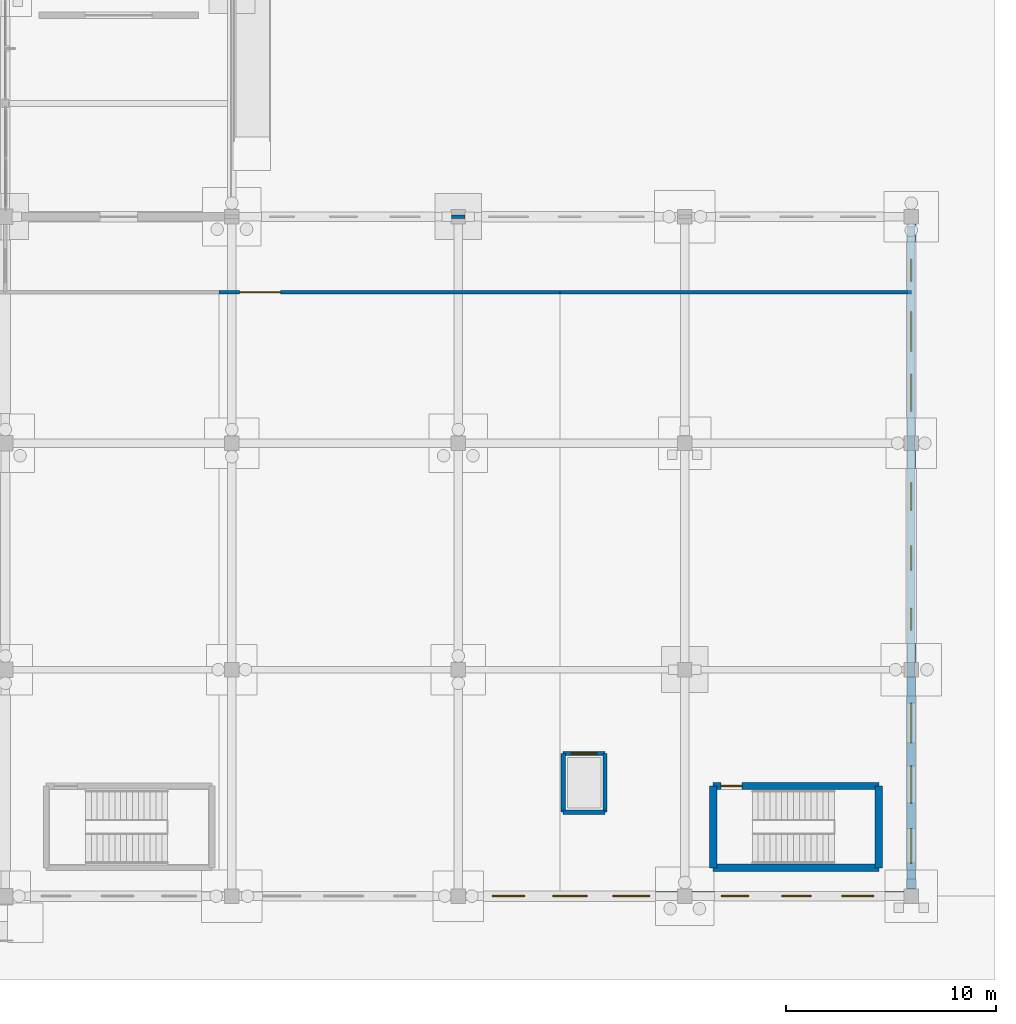
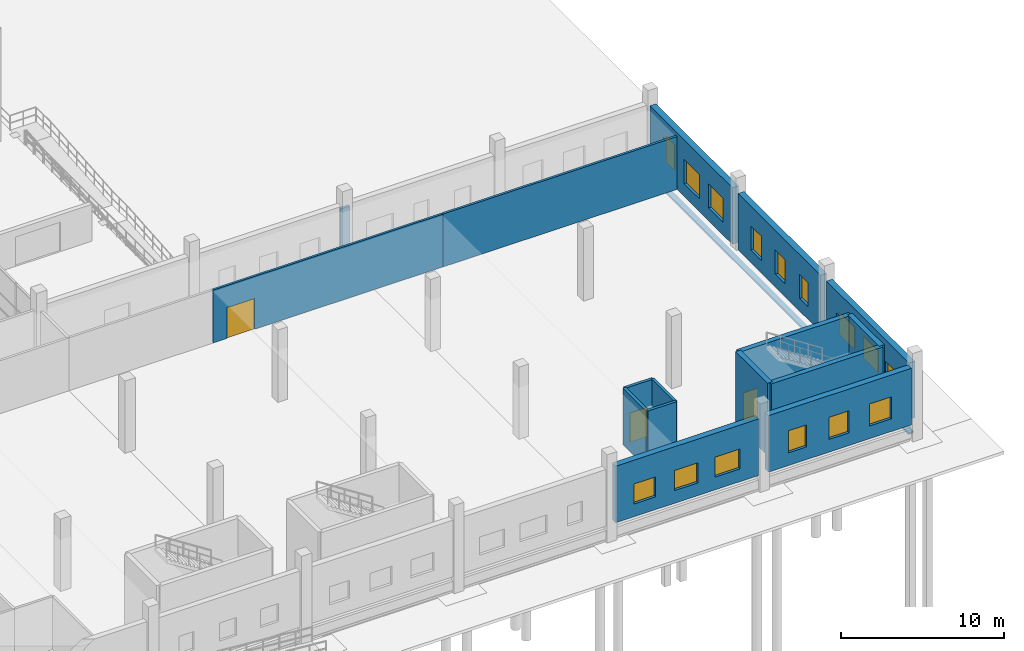
# One storey, part 111 of 138: 17 walls, 15 windows, 3 doors, 18 openings.
"""IFC4 building model written with IfcOpenShell, lengths in metres."""

import ifcopenshell
import ifcopenshell.guid

model = None  # the IFC model being written
_history = None  # IfcOwnerHistory: only IFC2X3 demands one
_inside = {}  # id of a spatial element -> (the spatial element, [elements in it])
_under = {}  # id of a project, library or spatial element -> (it, [spatial elements below it])
_declared = {}  # id of a project -> (the project, [libraries it declares])
_typed = {}  # id of a type object -> (the type object, [elements of that type])
_made_of = {}  # id of a material, layer set ... -> (it, [elements and type objects made of it])


def new_model(schema):
    """Start an empty IFC model of exactly this schema.

    Asked for "IFC4X3", IfcOpenShell would pick the latest addendum, in which some entities
    have other attributes; the version numbers below select the first issue.
    IFC2X3 requires an IfcOwnerHistory on every rooted entity: one is made here for all.
    """
    global model, _history
    if schema == "IFC4X3":
        model = ifcopenshell.file(schema_version=(4, 3, 0, 0))
    else:
        model = ifcopenshell.file(schema=schema)
    _inside.clear()
    _under.clear()
    _declared.clear()
    _typed.clear()
    _made_of.clear()
    _history = None
    if model.schema == "IFC2X3":
        org = make("IfcOrganization", Name="unknown")
        user = make(
            "IfcPersonAndOrganization",
            ThePerson=make("IfcPerson", FamilyName="unknown"),
            TheOrganization=org,
        )
        app = make(
            "IfcApplication",
            ApplicationDeveloper=org,
            Version="unknown",
            ApplicationFullName="unknown",
            ApplicationIdentifier="unknown",
        )
        _history = make(
            "IfcOwnerHistory",
            OwningUser=user,
            OwningApplication=app,
            ChangeAction="ADDED",
            CreationDate=0,
        )
    return model


def make(cls, **values):
    """One entity of the class cls with the attributes given. An attribute that is None is left unset."""
    return model.create_entity(
        cls, **{name: value for name, value in values.items() if value is not None}
    )


def rooted(cls, **values):
    """An entity with a GlobalId (a new one), such as an element, a storey or a relation."""
    return make(cls, GlobalId=ifcopenshell.guid.new(), OwnerHistory=_history, **values)


def si_unit(unit_type, name, prefix=None):
    """IfcSIUnit, for example si_unit("LENGTHUNIT", "METRE", prefix="MILLI")."""
    return make("IfcSIUnit", UnitType=unit_type, Prefix=prefix, Name=name)


def assignment(units):
    """IfcUnitAssignment: the units of a project."""
    return None if units is None else make("IfcUnitAssignment", Units=units)


def point(xyz):
    """IfcCartesianPoint."""
    return None if xyz is None else make("IfcCartesianPoint", Coordinates=xyz)


def direction(xyz):
    """IfcDirection."""
    return None if xyz is None else make("IfcDirection", DirectionRatios=xyz)


def frame(location, z_axis=None, x_axis=None):
    """IfcAxis2Placement3D, a coordinate frame: its origin and axes. An axis left out is left unset."""
    return make(
        "IfcAxis2Placement3D",
        Location=point(location),
        Axis=direction(z_axis),
        RefDirection=direction(x_axis),
    )


def frame_2d(location, x_axis=None):
    """IfcAxis2Placement2D, a coordinate frame in the plane: its origin and x axis."""
    return make(
        "IfcAxis2Placement2D", Location=point(location), RefDirection=direction(x_axis)
    )


def origin():
    """The frame at (0, 0, 0) with its axes left unset."""
    return frame((0.0, 0.0, 0.0))


def place(relative_to, where):
    """IfcLocalPlacement: puts the frame where relative to a parent placement (None: the world)."""
    return make(
        "IfcLocalPlacement", PlacementRelTo=relative_to, RelativePlacement=where
    )


def context(
    kind, dimensions, precision=None, world=None, true_north=None, identifier=None
):
    """IfcGeometricRepresentationContext, for example the 3D "Model" context."""
    return make(
        "IfcGeometricRepresentationContext",
        ContextIdentifier=identifier,
        ContextType=kind,
        CoordinateSpaceDimension=dimensions,
        Precision=precision,
        WorldCoordinateSystem=world,
        TrueNorth=true_north,
    )


def subcontext(parent, identifier, kind, view, scale=None):
    """IfcGeometricRepresentationSubContext, for example "Body" below "Model"."""
    return make(
        "IfcGeometricRepresentationSubContext",
        ContextIdentifier=identifier,
        ContextType=kind,
        ParentContext=parent,
        TargetScale=scale,
        TargetView=view,
    )


def project(units=None, contexts=None):
    """IfcProject with its units and contexts."""
    return rooted(
        "IfcProject",
        Name="project",
        RepresentationContexts=contexts,
        UnitsInContext=assignment(units),
    )


def spatial(cls, under=None, at=None, **own):
    """A site, building, storey or space (cls), placed at a placement, below another one or the project."""
    s = rooted(cls, ObjectPlacement=at, **own)
    if under is not None:
        _under.setdefault(under.id(), (under, []))[1].append(s)
    return s


def profile(cls, at=None, kind="AREA", **sizes):
    """A parametric profile (cls). Its sizes go by their IFC names, for example OverallWidth=200.0."""
    return make(cls, ProfileType=kind, Position=at, **sizes)


def rectangle(**sizes):
    """IfcRectangleProfileDef."""
    return profile("IfcRectangleProfileDef", **sizes)


def extrude(swept, where, along, depth):
    """IfcExtrudedAreaSolid: the profile swept, set in the frame where, extruded along a direction by depth."""
    return make(
        "IfcExtrudedAreaSolid",
        SweptArea=swept,
        Position=where,
        ExtrudedDirection=direction(along),
        Depth=depth,
    )


def shape(context_of_items, identifier, shape_type, items):
    """IfcShapeRepresentation: the items that make up one representation, for example the "Body"."""
    return make(
        "IfcShapeRepresentation",
        ContextOfItems=context_of_items,
        RepresentationIdentifier=identifier,
        RepresentationType=shape_type,
        Items=items,
    )


def material(Name=None, Category=None):
    """IfcMaterial."""
    return make("IfcMaterial", Name=Name, Category=Category)


def layer(
    of_material, thickness, ventilated=None, Name=None, Category=None, Priority=None
):
    """IfcMaterialLayer: one layer of a wall or slab, of a material (None: an air gap)."""
    return make(
        "IfcMaterialLayer",
        Material=of_material,
        LayerThickness=thickness,
        IsVentilated=ventilated,
        Name=Name,
        Category=Category,
        Priority=Priority,
    )


def layer_set(layers, Name=None):
    """IfcMaterialLayerSet."""
    return make("IfcMaterialLayerSet", MaterialLayers=layers, LayerSetName=Name)


def made_of(thing, what):
    """Note that an element or type object is made of a material, layer set ...; save() writes the relation."""
    if what is not None:
        _made_of.setdefault(what.id(), (what, []))[1].append(thing)
    return thing


def type_object(cls, material=None, **own):
    """A type object (cls), such as IfcWallType, which elements share."""
    return made_of(rooted(cls, **own), material)


def element(
    cls,
    number,
    at=None,
    inside=None,
    cuts=None,
    type_object=None,
    material=None,
    context=None,
    identifier="Body",
    shape_type=None,
    held_by="IfcProductDefinitionShape",
    body=None,
    shapes=None,
    **own,
):
    """One element of the class cls, such as IfcWall. Its Tag is "e" and its number.

    at: its placement. inside: the storey or other place that contains it. cuts: it is an
    opening in that element (IfcRelVoidsElement). A single representation is given by context,
    identifier, shape_type and body (its items); several are given by shapes. held_by: the class
    of the entity that holds the representations. save() writes the other relations.
    """
    e = rooted(cls, Tag="e%d" % number, ObjectPlacement=at, **own)
    if body is not None:
        shapes = [shape(context, identifier, shape_type, body)]
    if shapes is not None:
        e.Representation = make(held_by, Representations=shapes)
    if inside is not None:
        _inside.setdefault(inside.id(), (inside, []))[1].append(e)
    if cuts is not None:
        rooted(
            "IfcRelVoidsElement", RelatingBuildingElement=cuts, RelatedOpeningElement=e
        )
    if type_object is not None:
        _typed.setdefault(type_object.id(), (type_object, []))[1].append(e)
    return made_of(e, material)


def fill(opening, filler):
    """IfcRelFillsElement: the door or window that sits in an opening."""
    return rooted(
        "IfcRelFillsElement",
        RelatingOpeningElement=opening,
        RelatedBuildingElement=filler,
    )


def aggregate(whole, parts):
    """IfcRelAggregates: a whole, such as a stair, and the parts it consists of."""
    return rooted("IfcRelAggregates", RelatingObject=whole, RelatedObjects=parts)


def save(model, path):
    """Write the relations noted so far, then the file.

    IfcRelAggregates (storeys below a building ...), IfcRelContainedInSpatialStructure (elements
    in a storey), IfcRelDefinesByType, IfcRelAssociatesMaterial and IfcRelDeclares: one each for
    every whole, place, type object, material and project.
    """
    for whole, parts in _under.values():
        aggregate(whole, parts)
    for where, things in _inside.values():
        rooted(
            "IfcRelContainedInSpatialStructure",
            RelatedElements=things,
            RelatingStructure=where,
        )
    for kind, things in _typed.values():
        rooted("IfcRelDefinesByType", RelatedObjects=things, RelatingType=kind)
    for what, things in _made_of.values():
        rooted("IfcRelAssociatesMaterial", RelatedObjects=things, RelatingMaterial=what)
    for by, libraries in _declared.values():
        rooted("IfcRelDeclares", RelatingContext=by, RelatedDefinitions=libraries)
    model.write(path)


model = new_model("IFC4")

# Units and contexts
model_context = context("Model", 3, precision=1e-05, world=origin(), true_north=direction((0.0, 1.0)))
body_context = subcontext(model_context, "Body", "Model", "MODEL_VIEW")
ifc_project = project(units=[si_unit("LENGTHUNIT", "METRE"), si_unit("AREAUNIT", "SQUARE_METRE"), si_unit("VOLUMEUNIT", "CUBIC_METRE"), si_unit("PLANEANGLEUNIT", "RADIAN"), si_unit("MASSUNIT", "GRAM", prefix="KILO")], contexts=[model_context])

# Site, building, storey
site_placement = place(None, origin())
site = spatial("IfcSite", under=ifc_project, at=site_placement, CompositionType="ELEMENT")
building_placement = place(site_placement, origin())
building = spatial("IfcBuilding", under=site, at=building_placement, Name="Zwinboog Wholesale Market", CompositionType="ELEMENT")
storey_placement = place(building_placement, origin())
storey = spatial("IfcBuildingStorey", under=building, at=storey_placement, Name="L00", CompositionType="ELEMENT", Elevation=0.0)

# Wall, openings, windows
ifc_material_1 = material(Name="Precast concrete C45/55", Category="concrete")
ifc_layer_1 = layer(ifc_material_1, 0.409912109375)
ifc_layer_set_1 = layer_set([ifc_layer_1], Name="Precast concrete C45/55")
wall_type_1 = type_object("IfcWallType", Name="WT-EW-410", PredefinedType="STANDARD", material=ifc_layer_set_1)
wall_1_placement = place(storey_placement, frame((216.0, 0.344970703125, 0.0), z_axis=(0.0, 0.0, 1.0), x_axis=(0.0, 1.0, 0.0)))
wall_1 = element("IfcWall", 1, at=wall_1_placement, inside=storey, type_object=wall_type_1, Name="EW-03 (WL-EW-L00-080)", PredefinedType="STANDARD", context=body_context, shape_type="SweptSolid", body=[
    extrude(rectangle(XDim=10.110107421875, YDim=0.409912109375, at=frame_2d((5.05517578125, 0.0))), origin(), (0.0, 0.0, 1.0), 4.22509765625),
])
opening_1_placement = place(wall_1_placement, frame((1.22509765625, 0.0, 0.949951171875)))
opening_1 = element("IfcOpeningElement", 2, at=opening_1_placement, cuts=wall_1, Name="Opening WN-46", PredefinedType="OPENING", context=body_context, shape_type="SweptSolid", body=[
    extrude(rectangle(XDim=1.64990234375, YDim=1.64990234375, at=frame_2d((0.824951171875, 0.824951171875))), frame((0.0, 0.21484375, 0.0), z_axis=(0.0, -1.0, 0.0), x_axis=(1.0, 0.0, 0.0)), (0.0, 0.0, 1.0), 0.429931640625),
])
opening_2_placement = place(wall_1_placement, frame((4.094970703125, 0.0, 0.949951171875)))
opening_2 = element("IfcOpeningElement", 3, at=opening_2_placement, cuts=wall_1, Name="Opening WN-47", PredefinedType="OPENING", context=body_context, shape_type="SweptSolid", body=[
    extrude(rectangle(XDim=1.77001953125, YDim=1.64990234375, at=frame_2d((0.885009765625, 0.824951171875))), frame((0.0, 0.21484375, 0.0), z_axis=(0.0, -1.0, 0.0), x_axis=(1.0, 0.0, 0.0)), (0.0, 0.0, 1.0), 0.429931640625),
])
opening_3_placement = place(wall_1_placement, frame((6.965087890625, 0.0, 0.949951171875)))
opening_3 = element("IfcOpeningElement", 4, at=opening_3_placement, cuts=wall_1, Name="Opening WN-48", PredefinedType="OPENING", context=body_context, shape_type="SweptSolid", body=[
    extrude(rectangle(XDim=1.889892578125, YDim=1.64990234375, at=frame_2d((0.94482421875, 0.824951171875))), frame((0.0, 0.21484375, 0.0), z_axis=(0.0, -1.0, 0.0), x_axis=(1.0, 0.0, 0.0)), (0.0, 0.0, 1.0), 0.429931640625),
])
ifc_material_2 = material(Name="Thermally broken aluminium low-e window", Category="aluminium")
window_type_1 = type_object("IfcWindowType", Name="WNT-46", PartitioningType="SINGLE_PANEL", PredefinedType="WINDOW", material=ifc_material_2)
window_1_placement = place(opening_1_placement, frame((1.64990234375, 0.0, 0.0), z_axis=(0.0, 0.0, 1.0), x_axis=(-1.0, 0.0, 0.0)))
window_1 = element("IfcWindow", 5, at=window_1_placement, inside=storey, type_object=window_type_1, Name="WN-46 (WIN-L00-0046)", OverallHeight=1.64990234375, OverallWidth=1.64990234375, PartitioningType="SINGLE_PANEL", PredefinedType="WINDOW", context=body_context, shape_type="SweptSolid", body=[
    extrude(rectangle(XDim=1.64990234375, YDim=1.64990234375, at=frame_2d((0.824951171875, 0.824951171875))), frame((0.0, 0.030029296875, 0.0), z_axis=(0.0, -1.0, 0.0), x_axis=(1.0, 0.0, 0.0)), (0.0, 0.0, 1.0), 0.06005859375),
])
fill(opening_1, window_1)
window_type_2 = type_object("IfcWindowType", Name="WNT-47", PartitioningType="SINGLE_PANEL", PredefinedType="WINDOW", material=ifc_material_2)
window_2_placement = place(opening_2_placement, frame((1.77001953125, 0.0, 0.0), z_axis=(0.0, 0.0, 1.0), x_axis=(-1.0, 0.0, 0.0)))
window_2 = element("IfcWindow", 6, at=window_2_placement, inside=storey, type_object=window_type_2, Name="WN-47 (WIN-L00-0047)", OverallHeight=1.64990234375, OverallWidth=1.77001953125, PartitioningType="SINGLE_PANEL", PredefinedType="WINDOW", context=body_context, shape_type="SweptSolid", body=[
    extrude(rectangle(XDim=1.77001953125, YDim=1.64990234375, at=frame_2d((0.885009765625, 0.824951171875))), frame((0.0, 0.030029296875, 0.0), z_axis=(0.0, -1.0, 0.0), x_axis=(1.0, 0.0, 0.0)), (0.0, 0.0, 1.0), 0.06005859375),
])
fill(opening_2, window_2)
window_type_3 = type_object("IfcWindowType", Name="WNT-48", PartitioningType="SINGLE_PANEL", PredefinedType="WINDOW", material=ifc_material_2)
window_3_placement = place(opening_3_placement, frame((1.889892578125, 0.0, 0.0), z_axis=(0.0, 0.0, 1.0), x_axis=(-1.0, 0.0, 0.0)))
window_3 = element("IfcWindow", 7, at=window_3_placement, inside=storey, type_object=window_type_3, Name="WN-48 (WIN-L00-0048)", OverallHeight=1.64990234375, OverallWidth=1.889892578125, PartitioningType="SINGLE_PANEL", PredefinedType="WINDOW", context=body_context, shape_type="SweptSolid", body=[
    extrude(rectangle(XDim=1.889892578125, YDim=1.64990234375, at=frame_2d((0.94482421875, 0.824951171875))), frame((0.0, 0.030029296875, 0.0), z_axis=(0.0, -1.0, 0.0), x_axis=(1.0, 0.0, 0.0)), (0.0, 0.0, 1.0), 0.06005859375),
])
fill(opening_3, window_3)

ifc_layer_2 = layer(ifc_material_1, 0.429931640625)
ifc_layer_set_2 = layer_set([ifc_layer_2], Name="Precast concrete C45/55")
wall_type_2 = type_object("IfcWallType", Name="WT-EW-430", PredefinedType="STANDARD", material=ifc_layer_set_2)
wall_2_placement = place(storey_placement, frame((194.7451171875, 0.0, 0.0), z_axis=(0.0, 0.0, 1.0), x_axis=(1.0, 0.0, 0.0)))
wall_2 = element("IfcWall", 8, at=wall_2_placement, inside=storey, type_object=wall_type_2, Name="EW-04 (WL-EW-L00-075)", PredefinedType="STANDARD", context=body_context, shape_type="SweptSolid", body=[
    extrude(rectangle(XDim=10.10986328125, YDim=0.429931640625, at=frame_2d((5.054931640625, 0.0))), origin(), (0.0, 0.0, 1.0), 4.22509765625),
])
opening_4_placement = place(wall_2_placement, frame((1.284912109375, 0.0, 0.949951171875)))
opening_4 = element("IfcOpeningElement", 9, at=opening_4_placement, cuts=wall_2, Name="Opening WN-37", PredefinedType="OPENING", context=body_context, shape_type="SweptSolid", body=[
    extrude(rectangle(XDim=1.530029296875, YDim=1.5, at=frame_2d((0.76513671875, 0.75))), frame((0.0, 0.224853515625, 0.0), z_axis=(0.0, -1.0, 0.0), x_axis=(1.0, 0.0, 0.0)), (0.0, 0.0, 1.0), 0.449951171875),
])
opening_5_placement = place(wall_2_placement, frame((4.155029296875, 0.0, 0.949951171875)))
opening_5 = element("IfcOpeningElement", 10, at=opening_5_placement, cuts=wall_2, Name="Opening WN-38", PredefinedType="OPENING", context=body_context, shape_type="SweptSolid", body=[
    extrude(rectangle(XDim=1.64990234375, YDim=1.5, at=frame_2d((0.824951171875, 0.75))), frame((0.0, 0.224853515625, 0.0), z_axis=(0.0, -1.0, 0.0), x_axis=(1.0, 0.0, 0.0)), (0.0, 0.0, 1.0), 0.449951171875),
])
opening_6_placement = place(wall_2_placement, frame((7.02490234375, 0.0, 0.949951171875)))
opening_6 = element("IfcOpeningElement", 11, at=opening_6_placement, cuts=wall_2, Name="Opening WN-39", PredefinedType="OPENING", context=body_context, shape_type="SweptSolid", body=[
    extrude(rectangle(XDim=1.77001953125, YDim=1.5, at=frame_2d((0.885009765625, 0.75))), frame((0.0, 0.224853515625, 0.0), z_axis=(0.0, -1.0, 0.0), x_axis=(1.0, 0.0, 0.0)), (0.0, 0.0, 1.0), 0.449951171875),
])
window_type_4 = type_object("IfcWindowType", Name="WNT-37", PartitioningType="SINGLE_PANEL", PredefinedType="WINDOW", material=ifc_material_2)
window_4_placement = place(opening_4_placement, frame((1.530029296875, 0.0, 0.0), z_axis=(0.0, 0.0, 1.0), x_axis=(-1.0, 0.0, 0.0)))
window_4 = element("IfcWindow", 12, at=window_4_placement, inside=storey, type_object=window_type_4, Name="WN-37 (WIN-L00-0037)", OverallHeight=1.5, OverallWidth=1.530029296875, PartitioningType="SINGLE_PANEL", PredefinedType="WINDOW", context=body_context, shape_type="SweptSolid", body=[
    extrude(rectangle(XDim=1.530029296875, YDim=1.5, at=frame_2d((0.76513671875, 0.75))), frame((0.0, 0.030029296875, 0.0), z_axis=(0.0, -1.0, 0.0), x_axis=(1.0, 0.0, 0.0)), (0.0, 0.0, 1.0), 0.06005859375),
])
fill(opening_4, window_4)
window_type_5 = type_object("IfcWindowType", Name="WNT-38", PartitioningType="SINGLE_PANEL", PredefinedType="WINDOW", material=ifc_material_2)
window_5_placement = place(opening_5_placement, frame((1.64990234375, 0.0, 0.0), z_axis=(0.0, 0.0, 1.0), x_axis=(-1.0, 0.0, 0.0)))
window_5 = element("IfcWindow", 13, at=window_5_placement, inside=storey, type_object=window_type_5, Name="WN-38 (WIN-L00-0038)", OverallHeight=1.5, OverallWidth=1.64990234375, PartitioningType="SINGLE_PANEL", PredefinedType="WINDOW", context=body_context, shape_type="SweptSolid", body=[
    extrude(rectangle(XDim=1.64990234375, YDim=1.5, at=frame_2d((0.824951171875, 0.75))), frame((0.0, 0.030029296875, 0.0), z_axis=(0.0, -1.0, 0.0), x_axis=(1.0, 0.0, 0.0)), (0.0, 0.0, 1.0), 0.06005859375),
])
fill(opening_5, window_5)
window_type_6 = type_object("IfcWindowType", Name="WNT-39", PartitioningType="SINGLE_PANEL", PredefinedType="WINDOW", material=ifc_material_2)
window_6_placement = place(opening_6_placement, frame((1.77001953125, 0.0, 0.0), z_axis=(0.0, 0.0, 1.0), x_axis=(-1.0, 0.0, 0.0)))
window_6 = element("IfcWindow", 14, at=window_6_placement, inside=storey, type_object=window_type_6, Name="WN-39 (WIN-L00-0039)", OverallHeight=1.5, OverallWidth=1.77001953125, PartitioningType="SINGLE_PANEL", PredefinedType="WINDOW", context=body_context, shape_type="SweptSolid", body=[
    extrude(rectangle(XDim=1.77001953125, YDim=1.5, at=frame_2d((0.885009765625, 0.75))), frame((0.0, 0.030029296875, 0.0), z_axis=(0.0, -1.0, 0.0), x_axis=(1.0, 0.0, 0.0)), (0.0, 0.0, 1.0), 0.06005859375),
])
fill(opening_6, window_6)

wall_3_placement = place(storey_placement, frame((205.544921875, 0.0, 0.0), z_axis=(0.0, 0.0, 1.0), x_axis=(1.0, 0.0, 0.0)))
wall_3 = element("IfcWall", 15, at=wall_3_placement, inside=storey, type_object=wall_type_2, Name="EW-04 (WL-EW-L00-079)", PredefinedType="STANDARD", context=body_context, shape_type="SweptSolid", body=[
    extrude(rectangle(XDim=10.110107421875, YDim=0.429931640625, at=frame_2d((5.05517578125, 0.0))), origin(), (0.0, 0.0, 1.0), 4.22509765625),
])
opening_7_placement = place(wall_3_placement, frame((1.405029296875, 0.0, 0.949951171875)))
opening_7 = element("IfcOpeningElement", 16, at=opening_7_placement, cuts=wall_3, Name="Opening WN-43", PredefinedType="OPENING", context=body_context, shape_type="SweptSolid", body=[
    extrude(rectangle(XDim=1.2900390625, YDim=1.64990234375, at=frame_2d((0.64501953125, 0.824951171875))), frame((0.0, 0.224853515625, 0.0), z_axis=(0.0, -1.0, 0.0), x_axis=(1.0, 0.0, 0.0)), (0.0, 0.0, 1.0), 0.449951171875),
])
opening_8_placement = place(wall_3_placement, frame((4.27490234375, 0.0, 0.949951171875)))
opening_8 = element("IfcOpeningElement", 17, at=opening_8_placement, cuts=wall_3, Name="Opening WN-44", PredefinedType="OPENING", context=body_context, shape_type="SweptSolid", body=[
    extrude(rectangle(XDim=1.409912109375, YDim=1.64990234375, at=frame_2d((0.705078125, 0.824951171875))), frame((0.0, 0.224853515625, 0.0), z_axis=(0.0, -1.0, 0.0), x_axis=(1.0, 0.0, 0.0)), (0.0, 0.0, 1.0), 0.449951171875),
])
opening_9_placement = place(wall_3_placement, frame((7.14501953125, 0.0, 0.949951171875)))
opening_9 = element("IfcOpeningElement", 18, at=opening_9_placement, cuts=wall_3, Name="Opening WN-45", PredefinedType="OPENING", context=body_context, shape_type="SweptSolid", body=[
    extrude(rectangle(XDim=1.530029296875, YDim=1.64990234375, at=frame_2d((0.76513671875, 0.824951171875))), frame((0.0, 0.224853515625, 0.0), z_axis=(0.0, -1.0, 0.0), x_axis=(1.0, 0.0, 0.0)), (0.0, 0.0, 1.0), 0.449951171875),
])
window_type_7 = type_object("IfcWindowType", Name="WNT-43", PartitioningType="SINGLE_PANEL", PredefinedType="WINDOW", material=ifc_material_2)
window_7_placement = place(opening_7_placement, frame((1.2900390625, 0.0, 0.0), z_axis=(0.0, 0.0, 1.0), x_axis=(-1.0, 0.0, 0.0)))
window_7 = element("IfcWindow", 19, at=window_7_placement, inside=storey, type_object=window_type_7, Name="WN-43 (WIN-L00-0043)", OverallHeight=1.64990234375, OverallWidth=1.2900390625, PartitioningType="SINGLE_PANEL", PredefinedType="WINDOW", context=body_context, shape_type="SweptSolid", body=[
    extrude(rectangle(XDim=1.2900390625, YDim=1.64990234375, at=frame_2d((0.64501953125, 0.824951171875))), frame((0.0, 0.030029296875, 0.0), z_axis=(0.0, -1.0, 0.0), x_axis=(1.0, 0.0, 0.0)), (0.0, 0.0, 1.0), 0.06005859375),
])
fill(opening_7, window_7)
window_type_8 = type_object("IfcWindowType", Name="WNT-44", PartitioningType="SINGLE_PANEL", PredefinedType="WINDOW", material=ifc_material_2)
window_8_placement = place(opening_8_placement, frame((1.409912109375, 0.0, 0.0), z_axis=(0.0, 0.0, 1.0), x_axis=(-1.0, 0.0, 0.0)))
window_8 = element("IfcWindow", 20, at=window_8_placement, inside=storey, type_object=window_type_8, Name="WN-44 (WIN-L00-0044)", OverallHeight=1.64990234375, OverallWidth=1.409912109375, PartitioningType="SINGLE_PANEL", PredefinedType="WINDOW", context=body_context, shape_type="SweptSolid", body=[
    extrude(rectangle(XDim=1.409912109375, YDim=1.64990234375, at=frame_2d((0.705078125, 0.824951171875))), frame((0.0, 0.030029296875, 0.0), z_axis=(0.0, -1.0, 0.0), x_axis=(1.0, 0.0, 0.0)), (0.0, 0.0, 1.0), 0.06005859375),
])
fill(opening_8, window_8)
window_type_9 = type_object("IfcWindowType", Name="WNT-45", PartitioningType="SINGLE_PANEL", PredefinedType="WINDOW", material=ifc_material_2)
window_9_placement = place(opening_9_placement, frame((1.530029296875, 0.0, 0.0), z_axis=(0.0, 0.0, 1.0), x_axis=(-1.0, 0.0, 0.0)))
window_9 = element("IfcWindow", 21, at=window_9_placement, inside=storey, type_object=window_type_9, Name="WN-45 (WIN-L00-0045)", OverallHeight=1.64990234375, OverallWidth=1.530029296875, PartitioningType="SINGLE_PANEL", PredefinedType="WINDOW", context=body_context, shape_type="SweptSolid", body=[
    extrude(rectangle(XDim=1.530029296875, YDim=1.64990234375, at=frame_2d((0.76513671875, 0.824951171875))), frame((0.0, 0.030029296875, 0.0), z_axis=(0.0, -1.0, 0.0), x_axis=(1.0, 0.0, 0.0)), (0.0, 0.0, 1.0), 0.06005859375),
])
fill(opening_9, window_9)

wall_4_placement = place(storey_placement, frame((216.0, 11.14501953125, 0.0), z_axis=(0.0, 0.0, 1.0), x_axis=(0.0, 1.0, 0.0)))
wall_4 = element("IfcWall", 22, at=wall_4_placement, inside=storey, type_object=wall_type_2, Name="EW-04 (WL-EW-L00-081)", PredefinedType="STANDARD", context=body_context, shape_type="SweptSolid", body=[
    extrude(rectangle(XDim=10.10986328125, YDim=0.429931640625, at=frame_2d((5.054931640625, 0.0))), origin(), (0.0, 0.0, 1.0), 4.22509765625),
])
opening_10_placement = place(wall_4_placement, frame((1.52490234375, 0.0, 0.949951171875)))
opening_10 = element("IfcOpeningElement", 23, at=opening_10_placement, cuts=wall_4, Name="Opening WN-49", PredefinedType="OPENING", context=body_context, shape_type="SweptSolid", body=[
    extrude(rectangle(XDim=1.050048828125, YDim=1.800048828125, at=frame_2d((0.52490234375, 0.89990234375))), frame((0.0, 0.224853515625, 0.0), z_axis=(0.0, -1.0, 0.0), x_axis=(1.0, 0.0, 0.0)), (0.0, 0.0, 1.0), 0.449951171875),
])
opening_11_placement = place(wall_4_placement, frame((4.39501953125, 0.0, 0.949951171875)))
opening_11 = element("IfcOpeningElement", 24, at=opening_11_placement, cuts=wall_4, Name="Opening WN-50", PredefinedType="OPENING", context=body_context, shape_type="SweptSolid", body=[
    extrude(rectangle(XDim=1.169921875, YDim=1.800048828125, at=frame_2d((0.5849609375, 0.89990234375))), frame((0.0, 0.224853515625, 0.0), z_axis=(0.0, -1.0, 0.0), x_axis=(1.0, 0.0, 0.0)), (0.0, 0.0, 1.0), 0.449951171875),
])
opening_12_placement = place(wall_4_placement, frame((7.264892578125, 0.0, 0.949951171875)))
opening_12 = element("IfcOpeningElement", 25, at=opening_12_placement, cuts=wall_4, Name="Opening WN-51", PredefinedType="OPENING", context=body_context, shape_type="SweptSolid", body=[
    extrude(rectangle(XDim=1.2900390625, YDim=1.800048828125, at=frame_2d((0.64501953125, 0.89990234375))), frame((0.0, 0.224853515625, 0.0), z_axis=(0.0, -1.0, 0.0), x_axis=(1.0, 0.0, 0.0)), (0.0, 0.0, 1.0), 0.449951171875),
])
window_type_10 = type_object("IfcWindowType", Name="WNT-49", PartitioningType="SINGLE_PANEL", PredefinedType="WINDOW", material=ifc_material_2)
window_10_placement = place(opening_10_placement, frame((1.050048828125, 0.0, 0.0), z_axis=(0.0, 0.0, 1.0), x_axis=(-1.0, 0.0, 0.0)))
window_10 = element("IfcWindow", 26, at=window_10_placement, inside=storey, type_object=window_type_10, Name="WN-49 (WIN-L00-0049)", OverallHeight=1.800048828125, OverallWidth=1.050048828125, PartitioningType="SINGLE_PANEL", PredefinedType="WINDOW", context=body_context, shape_type="SweptSolid", body=[
    extrude(rectangle(XDim=1.050048828125, YDim=1.800048828125, at=frame_2d((0.52490234375, 0.89990234375))), frame((0.0, 0.030029296875, 0.0), z_axis=(0.0, -1.0, 0.0), x_axis=(1.0, 0.0, 0.0)), (0.0, 0.0, 1.0), 0.06005859375),
])
fill(opening_10, window_10)
window_type_11 = type_object("IfcWindowType", Name="WNT-50", PartitioningType="SINGLE_PANEL", PredefinedType="WINDOW", material=ifc_material_2)
window_11_placement = place(opening_11_placement, frame((1.169921875, 0.0, 0.0), z_axis=(0.0, 0.0, 1.0), x_axis=(-1.0, 0.0, 0.0)))
window_11 = element("IfcWindow", 27, at=window_11_placement, inside=storey, type_object=window_type_11, Name="WN-50 (WIN-L00-0050)", OverallHeight=1.800048828125, OverallWidth=1.169921875, PartitioningType="SINGLE_PANEL", PredefinedType="WINDOW", context=body_context, shape_type="SweptSolid", body=[
    extrude(rectangle(XDim=1.169921875, YDim=1.800048828125, at=frame_2d((0.5849609375, 0.89990234375))), frame((0.0, 0.030029296875, 0.0), z_axis=(0.0, -1.0, 0.0), x_axis=(1.0, 0.0, 0.0)), (0.0, 0.0, 1.0), 0.06005859375),
])
fill(opening_11, window_11)
window_type_12 = type_object("IfcWindowType", Name="WNT-51", PartitioningType="SINGLE_PANEL", PredefinedType="WINDOW", material=ifc_material_2)
window_12_placement = place(opening_12_placement, frame((1.2900390625, 0.0, 0.0), z_axis=(0.0, 0.0, 1.0), x_axis=(-1.0, 0.0, 0.0)))
window_12 = element("IfcWindow", 28, at=window_12_placement, inside=storey, type_object=window_type_12, Name="WN-51 (WIN-L00-0051)", OverallHeight=1.800048828125, OverallWidth=1.2900390625, PartitioningType="SINGLE_PANEL", PredefinedType="WINDOW", context=body_context, shape_type="SweptSolid", body=[
    extrude(rectangle(XDim=1.2900390625, YDim=1.800048828125, at=frame_2d((0.64501953125, 0.89990234375))), frame((0.0, 0.030029296875, 0.0), z_axis=(0.0, -1.0, 0.0), x_axis=(1.0, 0.0, 0.0)), (0.0, 0.0, 1.0), 0.06005859375),
])
fill(opening_12, window_12)

wall_5_placement = place(storey_placement, frame((216.0, 21.945068359375, 0.0), z_axis=(0.0, 0.0, 1.0), x_axis=(0.0, 1.0, 0.0)))
wall_5 = element("IfcWall", 29, at=wall_5_placement, inside=storey, type_object=wall_type_2, Name="EW-04 (WL-EW-L00-083)", PredefinedType="STANDARD", context=body_context, shape_type="SweptSolid", body=[
    extrude(rectangle(XDim=10.10986328125, YDim=0.429931640625, at=frame_2d((5.054931640625, 0.0))), origin(), (0.0, 0.0, 1.0), 4.22509765625),
])
opening_13_placement = place(wall_5_placement, frame((1.1650390625, 0.0, 0.949951171875)))
opening_13 = element("IfcOpeningElement", 30, at=opening_13_placement, cuts=wall_5, Name="Opening WN-55", PredefinedType="OPENING", context=body_context, shape_type="SweptSolid", body=[
    extrude(rectangle(XDim=1.77001953125, YDim=1.800048828125, at=frame_2d((0.885009765625, 0.89990234375))), frame((0.0, 0.224853515625, 0.0), z_axis=(0.0, -1.0, 0.0), x_axis=(1.0, 0.0, 0.0)), (0.0, 0.0, 1.0), 0.449951171875),
])
opening_14_placement = place(wall_5_placement, frame((4.034912109375, 0.0, 0.949951171875)))
opening_14 = element("IfcOpeningElement", 31, at=opening_14_placement, cuts=wall_5, Name="Opening WN-56", PredefinedType="OPENING", context=body_context, shape_type="SweptSolid", body=[
    extrude(rectangle(XDim=1.889892578125, YDim=1.800048828125, at=frame_2d((0.94482421875, 0.89990234375))), frame((0.0, 0.224853515625, 0.0), z_axis=(0.0, -1.0, 0.0), x_axis=(1.0, 0.0, 0.0)), (0.0, 0.0, 1.0), 0.449951171875),
])
opening_15_placement = place(wall_5_placement, frame((7.385009765625, 0.0, 0.949951171875)))
opening_15 = element("IfcOpeningElement", 32, at=opening_15_placement, cuts=wall_5, Name="Opening WN-57", PredefinedType="OPENING", context=body_context, shape_type="SweptSolid", body=[
    extrude(rectangle(XDim=1.050048828125, YDim=1.949951171875, at=frame_2d((0.52490234375, 0.97509765625))), frame((0.0, 0.224853515625, 0.0), z_axis=(0.0, -1.0, 0.0), x_axis=(1.0, 0.0, 0.0)), (0.0, 0.0, 1.0), 0.449951171875),
])
window_type_13 = type_object("IfcWindowType", Name="WNT-55", PartitioningType="SINGLE_PANEL", PredefinedType="WINDOW", material=ifc_material_2)
window_13_placement = place(opening_13_placement, frame((1.77001953125, 0.0, 0.0), z_axis=(0.0, 0.0, 1.0), x_axis=(-1.0, 0.0, 0.0)))
window_13 = element("IfcWindow", 33, at=window_13_placement, inside=storey, type_object=window_type_13, Name="WN-55 (WIN-L00-0055)", OverallHeight=1.800048828125, OverallWidth=1.77001953125, PartitioningType="SINGLE_PANEL", PredefinedType="WINDOW", context=body_context, shape_type="SweptSolid", body=[
    extrude(rectangle(XDim=1.77001953125, YDim=1.800048828125, at=frame_2d((0.885009765625, 0.89990234375))), frame((0.0, 0.030029296875, 0.0), z_axis=(0.0, -1.0, 0.0), x_axis=(1.0, 0.0, 0.0)), (0.0, 0.0, 1.0), 0.06005859375),
])
fill(opening_13, window_13)
window_type_14 = type_object("IfcWindowType", Name="WNT-56", PartitioningType="SINGLE_PANEL", PredefinedType="WINDOW", material=ifc_material_2)
window_14_placement = place(opening_14_placement, frame((1.889892578125, 0.0, 0.0), z_axis=(0.0, 0.0, 1.0), x_axis=(-1.0, 0.0, 0.0)))
window_14 = element("IfcWindow", 34, at=window_14_placement, inside=storey, type_object=window_type_14, Name="WN-56 (WIN-L00-0056)", OverallHeight=1.800048828125, OverallWidth=1.889892578125, PartitioningType="SINGLE_PANEL", PredefinedType="WINDOW", context=body_context, shape_type="SweptSolid", body=[
    extrude(rectangle(XDim=1.889892578125, YDim=1.800048828125, at=frame_2d((0.94482421875, 0.89990234375))), frame((0.0, 0.030029296875, 0.0), z_axis=(0.0, -1.0, 0.0), x_axis=(1.0, 0.0, 0.0)), (0.0, 0.0, 1.0), 0.06005859375),
])
fill(opening_14, window_14)
window_type_15 = type_object("IfcWindowType", Name="WNT-57", PartitioningType="SINGLE_PANEL", PredefinedType="WINDOW", material=ifc_material_2)
window_15_placement = place(opening_15_placement, frame((1.050048828125, 0.0, 0.0), z_axis=(0.0, 0.0, 1.0), x_axis=(-1.0, 0.0, 0.0)))
window_15 = element("IfcWindow", 35, at=window_15_placement, inside=storey, type_object=window_type_15, Name="WN-57 (WIN-L00-0057)", OverallHeight=1.949951171875, OverallWidth=1.050048828125, PartitioningType="SINGLE_PANEL", PredefinedType="WINDOW", context=body_context, shape_type="SweptSolid", body=[
    extrude(rectangle(XDim=1.050048828125, YDim=1.949951171875, at=frame_2d((0.52490234375, 0.97509765625))), frame((0.0, 0.030029296875, 0.0), z_axis=(0.0, -1.0, 0.0), x_axis=(1.0, 0.0, 0.0)), (0.0, 0.0, 1.0), 0.06005859375),
])
fill(opening_15, window_15)

# Walls
ifc_material_3 = material(Name="Concrete C40/50", Category="concrete")
ifc_layer_3 = layer(ifc_material_3, 0.3740234375)
ifc_layer_set_3 = layer_set([ifc_layer_3], Name="Concrete C40/50")
wall_type_3 = type_object("IfcWallType", Name="WT-RW-374", PredefinedType="USERDEFINED", material=ifc_layer_set_3)
wall_6_placement = place(storey_placement, frame((216.0, 0.449951171875, -1.199951171875), z_axis=(0.0, 0.0, 1.0), x_axis=(0.0, 1.0, 0.0)))
element("IfcWall", 36, at=wall_6_placement, inside=storey, type_object=wall_type_3, Name="RW-02 (WL-RET-04)", ObjectType="RETAININGWALL", PredefinedType="USERDEFINED", context=body_context, shape_type="SweptSolid", body=[
    extrude(rectangle(XDim=31.5, YDim=0.3740234375, at=frame_2d((15.75, 0.0))), origin(), (0.0, 0.0, 1.0), 0.139892578125),
])
ifc_layer_4 = layer(ifc_material_3, 0.35009765625)
ifc_layer_set_4 = layer_set([ifc_layer_4], Name="Concrete C40/50")
wall_type_4 = type_object("IfcWallType", Name="WT-SW-350", PredefinedType="SHEAR", material=ifc_layer_set_4)
wall_7_placement = place(storey_placement, frame((206.550048828125, 1.35009765625, 0.0), z_axis=(0.0, 0.0, 1.0), x_axis=(1.0, 0.0, 0.0)))
element("IfcWall", 37, at=wall_7_placement, inside=storey, type_object=wall_type_4, Name="SW-04 (WL-SW-L00-057)", PredefinedType="SHEAR", context=body_context, shape_type="SweptSolid", body=[
    extrude(rectangle(XDim=7.89990234375, YDim=0.35009765625, at=frame_2d((3.949951171875, 0.0))), origin(), (0.0, 0.0, 1.0), 5.39990234375),
])

# Wall, opening, door
wall_8_placement = place(storey_placement, frame((206.550048828125, 5.25, 0.0), z_axis=(0.0, 0.0, 1.0), x_axis=(1.0, 0.0, 0.0)))
wall_8 = element("IfcWall", 38, at=wall_8_placement, inside=storey, type_object=wall_type_4, Name="SW-04 (WL-SW-L00-058)", PredefinedType="SHEAR", context=body_context, shape_type="SweptSolid", body=[
    extrude(rectangle(XDim=7.89990234375, YDim=0.35009765625, at=frame_2d((3.949951171875, 0.0))), origin(), (0.0, 0.0, 1.0), 5.39990234375),
])
opening_16_placement = place(wall_8_placement, frame((0.3798828125, 0.0, 0.0)))
opening_16 = element("IfcOpeningElement", 39, at=opening_16_placement, cuts=wall_8, Name="Opening FD-0015", PredefinedType="OPENING", context=body_context, shape_type="SweptSolid", body=[
    extrude(rectangle(XDim=1.0, YDim=2.14990234375, at=frame_2d((0.5, 1.074951171875))), frame((0.0, 0.18505859375, 0.0), z_axis=(0.0, -1.0, 0.0), x_axis=(1.0, 0.0, 0.0)), (0.0, 0.0, 1.0), 0.3701171875),
])
ifc_material_4 = material(Name="Timber and powder-coated steel door leaf", Category="steel")
door_type_1 = type_object("IfcDoorType", Name="IDT-FD-01", OperationType="NOTDEFINED", PredefinedType="DOOR", material=ifc_material_4)
door_1_placement = place(opening_16_placement, frame((1.0, 0.0, 0.0), z_axis=(0.0, 0.0, 1.0), x_axis=(-1.0, 0.0, 0.0)))
door_1 = element("IfcDoor", 40, at=door_1_placement, inside=storey, type_object=door_type_1, Name="Core Fire Door FD-0015", OperationType="SINGLE_SWING_RIGHT", OverallHeight=2.14990234375, OverallWidth=1.0, PredefinedType="DOOR", context=body_context, shape_type="SweptSolid", body=[
    extrude(rectangle(XDim=1.0, YDim=2.14990234375, at=frame_2d((0.5, 1.074951171875))), frame((0.0, 0.02490234375, 0.0), z_axis=(0.0, -1.0, 0.0), x_axis=(1.0, 0.0, 0.0)), (0.0, 0.0, 1.0), 0.050048828125),
])
fill(opening_16, door_1)

# Walls
for number, where, z_axis, x_axis, name in (
    (41, (206.550048828125, 1.35009765625, 0.0), (0.0, 0.0, 1.0), (0.0, 1.0, 0.0), "SW-04 (WL-SW-L00-059)"),
    (42, (214.449951171875, 1.35009765625, 0.0), (0.0, 0.0, 1.0), (0.0, 1.0, 0.0), "SW-04 (WL-SW-L00-060)"),
):
    element("IfcWall", number, at=place(storey_placement, frame(where, z_axis=z_axis, x_axis=x_axis)), inside=storey, type_object=wall_type_4, Name=name, PredefinedType="SHEAR", context=body_context, shape_type="SweptSolid", body=[
        extrude(rectangle(XDim=3.89990234375, YDim=0.35009765625, at=frame_2d((1.949951171875, 0.0))), origin(), (0.0, 0.0, 1.0), 5.39990234375),
    ])
ifc_layer_5 = layer(ifc_material_1, 0.199951171875)
ifc_layer_set_5 = layer_set([ifc_layer_5], Name="Precast concrete C45/55")
wall_type_5 = type_object("IfcWallType", Name="WT-IW-200", PredefinedType="SOLIDWALL", material=ifc_layer_set_5)
wall_9_placement = place(storey_placement, frame((199.39990234375, 4.0, 0.0), z_axis=(0.0, 0.0, 1.0), x_axis=(1.0, 0.0, 0.0)))
element("IfcWall", 43, at=wall_9_placement, inside=storey, type_object=wall_type_5, Name="IW-60 (WL-LSH-L00-201)", PredefinedType="SOLIDWALL", context=body_context, shape_type="SweptSolid", body=[
    extrude(rectangle(XDim=2.0, YDim=0.199951171875, at=frame_2d((1.0, 0.0))), origin(), (0.0, 0.0, 1.0), 4.219970703125),
])

# Wall, opening, door
wall_10_placement = place(storey_placement, frame((199.39990234375, 6.800048828125, 0.0), z_axis=(0.0, 0.0, 1.0), x_axis=(1.0, 0.0, 0.0)))
wall_10 = element("IfcWall", 44, at=wall_10_placement, inside=storey, type_object=wall_type_5, Name="IW-60 (WL-LSH-L00-202)", PredefinedType="SOLIDWALL", context=body_context, shape_type="SweptSolid", body=[
    extrude(rectangle(XDim=2.0, YDim=0.199951171875, at=frame_2d((1.0, 0.0))), origin(), (0.0, 0.0, 1.0), 4.219970703125),
])
opening_17_placement = place(wall_10_placement, frame((0.389892578125, 0.0, 0.0)))
opening_17 = element("IfcOpeningElement", 45, at=opening_17_placement, cuts=wall_10, Name="Opening LD-009", PredefinedType="OPENING", context=body_context, shape_type="SweptSolid", body=[
    extrude(rectangle(XDim=1.219970703125, YDim=2.199951171875, at=frame_2d((0.60986328125, 1.10009765625))), frame((0.0, 0.10986328125, 0.0), z_axis=(0.0, -1.0, 0.0), x_axis=(1.0, 0.0, 0.0)), (0.0, 0.0, 1.0), 0.219970703125),
])
door_type_2 = type_object("IfcDoorType", Name="IDT-LD-120", OperationType="DOUBLE_DOOR_SLIDING", PredefinedType="DOOR", material=ifc_material_4)
door_2_placement = place(opening_17_placement, origin())
door_2 = element("IfcDoor", 46, at=door_2_placement, inside=storey, type_object=door_type_2, Name="Lift Landing Door LD-009 (LP-05)", OperationType="DOUBLE_DOOR_SLIDING", OverallHeight=2.199951171875, OverallWidth=1.219970703125, PredefinedType="DOOR", context=body_context, shape_type="SweptSolid", body=[
    extrude(rectangle(XDim=1.219970703125, YDim=2.199951171875, at=frame_2d((0.60986328125, 1.10009765625))), frame((0.0, 0.02490234375, 0.0), z_axis=(0.0, -1.0, 0.0), x_axis=(1.0, 0.0, 0.0)), (0.0, 0.0, 1.0), 0.050048828125),
])
fill(opening_17, door_2)

# Walls
for number, where, z_axis, x_axis, name in (
    (47, (199.39990234375, 4.0, 0.0), (0.0, 0.0, 1.0), (0.0, 1.0, 0.0), "IW-60 (WL-LSH-L00-203)"),
    (48, (201.39990234375, 4.0, 0.0), (0.0, 0.0, 1.0), (0.0, 1.0, 0.0), "IW-60 (WL-LSH-L00-204)"),
):
    element("IfcWall", number, at=place(storey_placement, frame(where, z_axis=z_axis, x_axis=x_axis)), inside=storey, type_object=wall_type_5, Name=name, PredefinedType="SOLIDWALL", context=body_context, shape_type="SweptSolid", body=[
        extrude(rectangle(XDim=2.800048828125, YDim=0.199951171875, at=frame_2d((1.39990234375, 0.0))), origin(), (0.0, 0.0, 1.0), 4.219970703125),
    ])

# Wall, opening, door
ifc_material_5 = material(Name="Fire-rated corridor stud partition")
ifc_layer_6 = layer(ifc_material_5, 0.154052734375)
ifc_layer_set_6 = layer_set([ifc_layer_6], Name="Fire-rated corridor stud partition")
wall_type_6 = type_object("IfcWallType", Name="WT-PT-154", PredefinedType="PARTITIONING", material=ifc_layer_set_6)
wall_11_placement = place(storey_placement, frame((183.0, 28.800048828125, 0.0), z_axis=(0.0, 0.0, 1.0), x_axis=(1.0, 0.0, 0.0)))
wall_11 = element("IfcWall", 49, at=wall_11_placement, inside=storey, type_object=wall_type_6, Name="PW-04 (WL-IN-L00-0039)", PredefinedType="PARTITIONING", context=body_context, shape_type="SweptSolid", body=[
    extrude(rectangle(XDim=16.25, YDim=0.154052734375, at=frame_2d((8.125, 0.0))), origin(), (0.0, 0.0, 1.0), 3.949951171875),
])
opening_18_placement = place(wall_11_placement, frame((0.969970703125, 0.0, 0.0)))
opening_18 = element("IfcOpeningElement", 50, at=opening_18_placement, cuts=wall_11, Name="Opening IDF-0035", PredefinedType="OPENING", context=body_context, shape_type="SweptSolid", body=[
    extrude(rectangle(XDim=1.9599609375, YDim=2.300048828125, at=frame_2d((0.97998046875, 1.14990234375))), frame((0.0, 0.0869140625, 0.0), z_axis=(0.0, -1.0, 0.0), x_axis=(1.0, 0.0, 0.0)), (0.0, 0.0, 1.0), 0.174072265625),
])
door_type_3 = type_object("IfcDoorType", Name="IDT-FD-05", OperationType="DOUBLE_DOOR_SINGLE_SWING", PredefinedType="DOOR", material=ifc_material_4)
door_3_placement = place(opening_18_placement, origin())
door_3 = element("IfcDoor", 51, at=door_3_placement, inside=storey, type_object=door_type_3, Name="Interior Door IDF-0035", OperationType="DOUBLE_DOOR_SINGLE_SWING", OverallHeight=2.300048828125, OverallWidth=1.9599609375, PredefinedType="DOOR", context=body_context, shape_type="SweptSolid", body=[
    extrude(rectangle(XDim=1.9599609375, YDim=2.300048828125, at=frame_2d((0.97998046875, 1.14990234375))), frame((0.0, 0.02490234375, 0.0), z_axis=(0.0, -1.0, 0.0), x_axis=(1.0, 0.0, 0.0)), (0.0, 0.0, 1.0), 0.050048828125),
])
fill(opening_18, door_3)

# Walls
ifc_material_6 = material(Name="Laboratory acoustic partition")
ifc_layer_7 = layer(ifc_material_6, 0.16796875)
ifc_layer_set_7 = layer_set([ifc_layer_7], Name="Laboratory acoustic partition")
wall_type_7 = type_object("IfcWallType", Name="WT-PT-168", PredefinedType="PARTITIONING", material=ifc_layer_set_7)
wall_12_placement = place(storey_placement, frame((194.074951171875, 32.39990234375, 0.0), z_axis=(0.0, 0.0, 1.0), x_axis=(1.0, 0.0, 0.0)))
element("IfcWall", 52, at=wall_12_placement, inside=storey, type_object=wall_type_7, Name="PW-05 (WL-IN-L00-0105)", PredefinedType="PARTITIONING", context=body_context, shape_type="SweptSolid", body=[
    extrude(rectangle(XDim=0.650146484375, YDim=0.16796875, at=frame_2d((0.3251953125, 0.0))), origin(), (0.0, 0.0, 1.0), 3.949951171875),
])
wall_13_placement = place(storey_placement, frame((199.25, 28.800048828125, 0.0), z_axis=(0.0, 0.0, 1.0), x_axis=(1.0, 0.0, 0.0)))
element("IfcWall", 53, at=wall_13_placement, inside=storey, type_object=wall_type_7, Name="PW-05 (WL-IN-L00-0108)", PredefinedType="PARTITIONING", context=body_context, shape_type="SweptSolid", body=[
    extrude(rectangle(XDim=16.75, YDim=0.16796875, at=frame_2d((8.375, 0.0))), origin(), (0.0, 0.0, 1.0), 3.949951171875),
])

save(model, "model.ifc")
